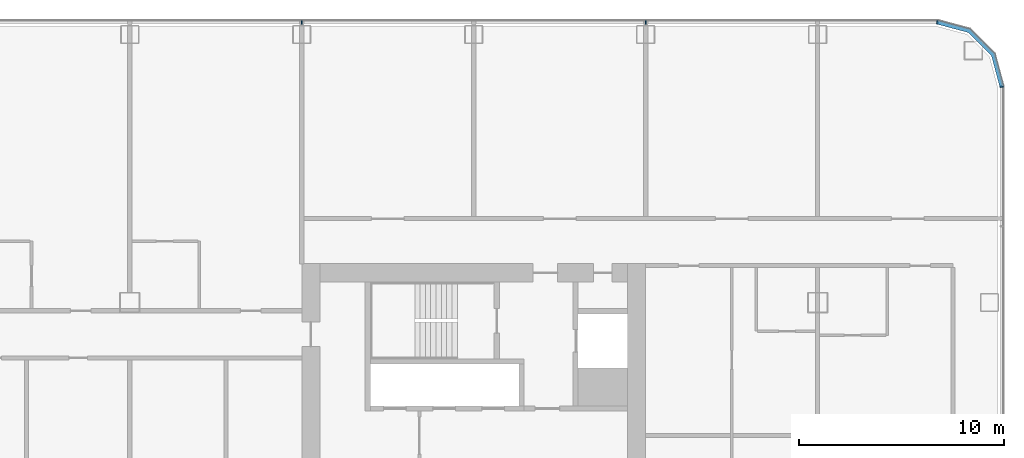
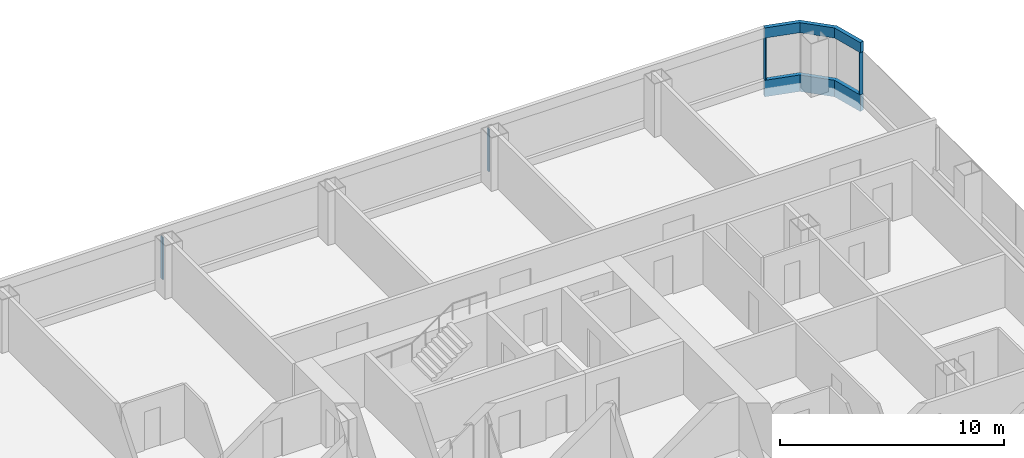
# One storey, part 11 of 29: 6 members, 3 elements without a shape of their own.
"""IFC4 building model written with IfcOpenShell, lengths in metres."""

import ifcopenshell
import ifcopenshell.guid

model = None  # the IFC model being written
_history = None  # IfcOwnerHistory: only IFC2X3 demands one
_inside = {}  # id of a spatial element -> (the spatial element, [elements in it])
_under = {}  # id of a project, library or spatial element -> (it, [spatial elements below it])
_declared = {}  # id of a project -> (the project, [libraries it declares])
_typed = {}  # id of a type object -> (the type object, [elements of that type])
_made_of = {}  # id of a material, layer set ... -> (it, [elements and type objects made of it])


def new_model(schema):
    """Start an empty IFC model of exactly this schema.

    Asked for "IFC4X3", IfcOpenShell would pick the latest addendum, in which some entities
    have other attributes; the version numbers below select the first issue.
    IFC2X3 requires an IfcOwnerHistory on every rooted entity: one is made here for all.
    """
    global model, _history
    if schema == "IFC4X3":
        model = ifcopenshell.file(schema_version=(4, 3, 0, 0))
    else:
        model = ifcopenshell.file(schema=schema)
    _inside.clear()
    _under.clear()
    _declared.clear()
    _typed.clear()
    _made_of.clear()
    _history = None
    if model.schema == "IFC2X3":
        org = make("IfcOrganization", Name="unknown")
        user = make(
            "IfcPersonAndOrganization",
            ThePerson=make("IfcPerson", FamilyName="unknown"),
            TheOrganization=org,
        )
        app = make(
            "IfcApplication",
            ApplicationDeveloper=org,
            Version="unknown",
            ApplicationFullName="unknown",
            ApplicationIdentifier="unknown",
        )
        _history = make(
            "IfcOwnerHistory",
            OwningUser=user,
            OwningApplication=app,
            ChangeAction="ADDED",
            CreationDate=0,
        )
    return model


def make(cls, **values):
    """One entity of the class cls with the attributes given. An attribute that is None is left unset."""
    return model.create_entity(
        cls, **{name: value for name, value in values.items() if value is not None}
    )


def rooted(cls, **values):
    """An entity with a GlobalId (a new one), such as an element, a storey or a relation."""
    return make(cls, GlobalId=ifcopenshell.guid.new(), OwnerHistory=_history, **values)


def si_unit(unit_type, name, prefix=None):
    """IfcSIUnit, for example si_unit("LENGTHUNIT", "METRE", prefix="MILLI")."""
    return make("IfcSIUnit", UnitType=unit_type, Prefix=prefix, Name=name)


def assignment(units):
    """IfcUnitAssignment: the units of a project."""
    return None if units is None else make("IfcUnitAssignment", Units=units)


def point(xyz):
    """IfcCartesianPoint."""
    return None if xyz is None else make("IfcCartesianPoint", Coordinates=xyz)


def direction(xyz):
    """IfcDirection."""
    return None if xyz is None else make("IfcDirection", DirectionRatios=xyz)


def frame(location, z_axis=None, x_axis=None):
    """IfcAxis2Placement3D, a coordinate frame: its origin and axes. An axis left out is left unset."""
    return make(
        "IfcAxis2Placement3D",
        Location=point(location),
        Axis=direction(z_axis),
        RefDirection=direction(x_axis),
    )


def frame_2d(location, x_axis=None):
    """IfcAxis2Placement2D, a coordinate frame in the plane: its origin and x axis."""
    return make(
        "IfcAxis2Placement2D", Location=point(location), RefDirection=direction(x_axis)
    )


def origin():
    """The frame at (0, 0, 0) with its axes left unset."""
    return frame((0.0, 0.0, 0.0))


def origin_2d():
    """The frame at (0, 0) in the plane with its x axis left unset."""
    return frame_2d((0.0, 0.0))


def place(relative_to, where):
    """IfcLocalPlacement: puts the frame where relative to a parent placement (None: the world)."""
    return make(
        "IfcLocalPlacement", PlacementRelTo=relative_to, RelativePlacement=where
    )


def context(
    kind, dimensions, precision=None, world=None, true_north=None, identifier=None
):
    """IfcGeometricRepresentationContext, for example the 3D "Model" context."""
    return make(
        "IfcGeometricRepresentationContext",
        ContextIdentifier=identifier,
        ContextType=kind,
        CoordinateSpaceDimension=dimensions,
        Precision=precision,
        WorldCoordinateSystem=world,
        TrueNorth=true_north,
    )


def subcontext(parent, identifier, kind, view, scale=None):
    """IfcGeometricRepresentationSubContext, for example "Body" below "Model"."""
    return make(
        "IfcGeometricRepresentationSubContext",
        ContextIdentifier=identifier,
        ContextType=kind,
        ParentContext=parent,
        TargetScale=scale,
        TargetView=view,
    )


def project(units=None, contexts=None):
    """IfcProject with its units and contexts."""
    return rooted(
        "IfcProject",
        Name="project",
        RepresentationContexts=contexts,
        UnitsInContext=assignment(units),
    )


def spatial(cls, under=None, at=None, **own):
    """A site, building, storey or space (cls), placed at a placement, below another one or the project."""
    s = rooted(cls, ObjectPlacement=at, **own)
    if under is not None:
        _under.setdefault(under.id(), (under, []))[1].append(s)
    return s


def polyline(points):
    """IfcPolyline through the points."""
    return make("IfcPolyline", Points=[point(p) for p in points])


def profile(cls, at=None, kind="AREA", **sizes):
    """A parametric profile (cls). Its sizes go by their IFC names, for example OverallWidth=200.0."""
    return make(cls, ProfileType=kind, Position=at, **sizes)


def rectangle(**sizes):
    """IfcRectangleProfileDef."""
    return profile("IfcRectangleProfileDef", **sizes)


def outline(outer, holes=None, kind="AREA"):
    """IfcArbitraryClosedProfileDef: a profile drawn as a closed curve; with holes, ...WithVoids."""
    if holes is None:
        return make("IfcArbitraryClosedProfileDef", ProfileType=kind, OuterCurve=outer)
    return make(
        "IfcArbitraryProfileDefWithVoids",
        ProfileType=kind,
        OuterCurve=outer,
        InnerCurves=holes,
    )


def extrude(swept, where, along, depth):
    """IfcExtrudedAreaSolid: the profile swept, set in the frame where, extruded along a direction by depth."""
    return make(
        "IfcExtrudedAreaSolid",
        SweptArea=swept,
        Position=where,
        ExtrudedDirection=direction(along),
        Depth=depth,
    )


def shape(context_of_items, identifier, shape_type, items):
    """IfcShapeRepresentation: the items that make up one representation, for example the "Body"."""
    return make(
        "IfcShapeRepresentation",
        ContextOfItems=context_of_items,
        RepresentationIdentifier=identifier,
        RepresentationType=shape_type,
        Items=items,
    )


def material(Name=None, Category=None):
    """IfcMaterial."""
    return make("IfcMaterial", Name=Name, Category=Category)


def layer(
    of_material, thickness, ventilated=None, Name=None, Category=None, Priority=None
):
    """IfcMaterialLayer: one layer of a wall or slab, of a material (None: an air gap)."""
    return make(
        "IfcMaterialLayer",
        Material=of_material,
        LayerThickness=thickness,
        IsVentilated=ventilated,
        Name=Name,
        Category=Category,
        Priority=Priority,
    )


def layer_set(layers, Name=None):
    """IfcMaterialLayerSet."""
    return make("IfcMaterialLayerSet", MaterialLayers=layers, LayerSetName=Name)


def material_profile(
    of_material, cross_section, Name=None, Category=None, Priority=None
):
    """IfcMaterialProfile: a cross section and its material."""
    return make(
        "IfcMaterialProfile",
        Name=Name,
        Material=of_material,
        Profile=cross_section,
        Priority=Priority,
        Category=Category,
    )


def profile_set(profiles, Name=None, composite=None):
    """IfcMaterialProfileSet."""
    return make(
        "IfcMaterialProfileSet",
        Name=Name,
        MaterialProfiles=profiles,
        CompositeProfile=composite,
    )


def made_of(thing, what):
    """Note that an element or type object is made of a material, layer set ...; save() writes the relation."""
    if what is not None:
        _made_of.setdefault(what.id(), (what, []))[1].append(thing)
    return thing


def type_object(cls, material=None, **own):
    """A type object (cls), such as IfcWallType, which elements share."""
    return made_of(rooted(cls, **own), material)


def element(
    cls,
    number,
    at=None,
    inside=None,
    cuts=None,
    type_object=None,
    material=None,
    context=None,
    identifier="Body",
    shape_type=None,
    held_by="IfcProductDefinitionShape",
    body=None,
    shapes=None,
    **own,
):
    """One element of the class cls, such as IfcWall. Its Tag is "e" and its number.

    at: its placement. inside: the storey or other place that contains it. cuts: it is an
    opening in that element (IfcRelVoidsElement). A single representation is given by context,
    identifier, shape_type and body (its items); several are given by shapes. held_by: the class
    of the entity that holds the representations. save() writes the other relations.
    """
    e = rooted(cls, Tag="e%d" % number, ObjectPlacement=at, **own)
    if body is not None:
        shapes = [shape(context, identifier, shape_type, body)]
    if shapes is not None:
        e.Representation = make(held_by, Representations=shapes)
    if inside is not None:
        _inside.setdefault(inside.id(), (inside, []))[1].append(e)
    if cuts is not None:
        rooted(
            "IfcRelVoidsElement", RelatingBuildingElement=cuts, RelatedOpeningElement=e
        )
    if type_object is not None:
        _typed.setdefault(type_object.id(), (type_object, []))[1].append(e)
    return made_of(e, material)


def aggregate(whole, parts):
    """IfcRelAggregates: a whole, such as a stair, and the parts it consists of."""
    return rooted("IfcRelAggregates", RelatingObject=whole, RelatedObjects=parts)


def save(model, path):
    """Write the relations noted so far, then the file.

    IfcRelAggregates (storeys below a building ...), IfcRelContainedInSpatialStructure (elements
    in a storey), IfcRelDefinesByType, IfcRelAssociatesMaterial and IfcRelDeclares: one each for
    every whole, place, type object, material and project.
    """
    for whole, parts in _under.values():
        aggregate(whole, parts)
    for where, things in _inside.values():
        rooted(
            "IfcRelContainedInSpatialStructure",
            RelatedElements=things,
            RelatingStructure=where,
        )
    for kind, things in _typed.values():
        rooted("IfcRelDefinesByType", RelatedObjects=things, RelatingType=kind)
    for what, things in _made_of.values():
        rooted("IfcRelAssociatesMaterial", RelatedObjects=things, RelatingMaterial=what)
    for by, libraries in _declared.values():
        rooted("IfcRelDeclares", RelatingContext=by, RelatedDefinitions=libraries)
    model.write(path)


model = new_model("IFC4")

# Units and contexts
model_context = context("Model", 3, precision=1e-05, world=origin(), true_north=direction((0.0, 1.0)))
body_context = subcontext(model_context, "Body", "Model", "MODEL_VIEW")
ifc_project = project(units=[si_unit("LENGTHUNIT", "METRE"), si_unit("AREAUNIT", "SQUARE_METRE"), si_unit("VOLUMEUNIT", "CUBIC_METRE"), si_unit("PLANEANGLEUNIT", "RADIAN"), si_unit("MASSUNIT", "GRAM", prefix="KILO")], contexts=[model_context])

# Site, building, storey
site_placement = place(None, origin())
site = spatial("IfcSite", under=ifc_project, at=site_placement, CompositionType="ELEMENT")
building_placement = place(site_placement, origin())
building = spatial("IfcBuilding", under=site, at=building_placement, Name="Hakoniwa Tower and Hamabe Station Hall", CompositionType="ELEMENT")
storey_placement = place(building_placement, frame((0.0, 0.0, 61.39990234375)))
storey = spatial("IfcBuildingStorey", under=building, at=storey_placement, Name="L17", CompositionType="ELEMENT", Elevation=61.39990234375)

# Curtain wall, members
ifc_material_1 = material(Name="Dark low-e laminated glass", Category="glass")
ifc_layer = layer(ifc_material_1, 0.199951171875)
ifc_layer_set = layer_set([ifc_layer], Name="CW-1 UNITISED GUEST")
curtain_wall_type = type_object("IfcCurtainWallType", Name="CW-1 UNITISED GUEST", PredefinedType="NOTDEFINED", material=ifc_layer_set)
curtain_wall_1_placement = place(storey_placement, origin())
curtain_wall_1 = element("IfcCurtainWall", 1, at=curtain_wall_1_placement, inside=storey, type_object=curtain_wall_type, Name="CW-1 curtain wall", PredefinedType="NOTDEFINED")
ifc_material_2 = material(Name="Aluminium 6063-T5 black anodised", Category="aluminium")
ifc_material_profile_1 = material_profile(ifc_material_2, rectangle(XDim=0.199951171875, YDim=0.550048828125, at=origin_2d()), Name="CW HEAD BAND 550X200")
ifc_profile_set_1 = profile_set([ifc_material_profile_1], Name="Aluminium 6063-T5 black anodised")
member_type_1 = type_object("IfcMemberType", Name="CW HEAD BAND 550X200", PredefinedType="USERDEFINED", material=ifc_profile_set_1)
member_1_placement = place(storey_placement, frame((0.0, 0.0, 2.650146484375)))
member_1 = element("IfcMember", 2, at=member_1_placement, type_object=member_type_1, Name="CW-1 transom", ObjectType="TRANSOM", PredefinedType="USERDEFINED", context=body_context, shape_type="SweptSolid", body=[
    extrude(outline(polyline([(51.10009765625, 17.03955078125), (50.6669921875, 18.6552734375), (49.455322265625, 19.866943359375), (47.839599609375, 20.300048828125), (47.787841796875, 20.10693359375), (49.351806640625, 19.687744140625), (50.48779296875, 18.5517578125), (50.90673828125, 16.98779296875), (51.10009765625, 17.03955078125)])), origin(), (0.0, 0.0, 1.0), 0.550048828125),
])
ifc_material_3 = material(Name="Aluminium 6063-T5 black anodised", Category="aluminium")
ifc_material_profile_2 = material_profile(ifc_material_3, rectangle(XDim=0.199951171875, YDim=0.89990234375, at=origin_2d()), Name="CW SLAB-EDGE BAND 900X200")
ifc_profile_set_2 = profile_set([ifc_material_profile_2], Name="Aluminium 6063-T5 black anodised")
member_type_2 = type_object("IfcMemberType", Name="CW SLAB-EDGE BAND 900X200", PredefinedType="USERDEFINED", material=ifc_profile_set_2)
member_2_placement = place(storey_placement, frame((0.0, 0.0, -0.5498046875)))
member_2 = element("IfcMember", 3, at=member_2_placement, type_object=member_type_2, Name="CW-1 transom", ObjectType="TRANSOM", PredefinedType="USERDEFINED", context=body_context, shape_type="SweptSolid", body=[
    extrude(outline(polyline([(51.10009765625, 17.03955078125), (50.6669921875, 18.6552734375), (49.455322265625, 19.866943359375), (47.839599609375, 20.300048828125), (47.787841796875, 20.10693359375), (49.351806640625, 19.687744140625), (50.48779296875, 18.5517578125), (50.90673828125, 16.98779296875), (51.10009765625, 17.03955078125)])), origin(), (0.0, 0.0, 1.0), 0.89990234375),
])
aggregate(curtain_wall_1, [member_2, member_1])

# Curtain wall, member
curtain_wall_2_placement = place(storey_placement, origin())
curtain_wall_2 = element("IfcCurtainWall", 4, at=curtain_wall_2_placement, inside=storey, type_object=curtain_wall_type, Name="CW-1 curtain wall", PredefinedType="NOTDEFINED")
ifc_material_4 = material(Name="Aluminium 6063-T5 black anodised", Category="aluminium")
ifc_material_profile_3 = material_profile(ifc_material_4, rectangle(XDim=0.06005859375, YDim=0.179931640625, at=origin_2d()), Name="CW-1 MULLION 60X180")
ifc_profile_set_3 = profile_set([ifc_material_profile_3], Name="Aluminium 6063-T5 black anodised")
member_type_3 = type_object("IfcMemberType", Name="CW-1 MULLION 60X180", PredefinedType="MULLION", material=ifc_profile_set_3)
member_3_placement = place(storey_placement, frame((50.98193359375, 17.03955078125, 0.35009765625), z_axis=(0.0, 0.0, 1.0), x_axis=(0.0, 1.0, 0.0)))
member_3 = element("IfcMember", 5, at=member_3_placement, type_object=member_type_3, Name="CW-1 mullion", PredefinedType="MULLION", context=body_context, shape_type="SweptSolid", body=[
    extrude(rectangle(XDim=0.06005859375, YDim=0.179931640625, at=origin_2d()), origin(), (0.0, 0.0, 1.0), 2.300048828125),
])
aggregate(curtain_wall_2, [member_3])

# Curtain wall, members
curtain_wall_3_placement = place(storey_placement, origin())
curtain_wall_3 = element("IfcCurtainWall", 6, at=curtain_wall_3_placement, inside=storey, type_object=curtain_wall_type, Name="CW-1 curtain wall", PredefinedType="NOTDEFINED")
member_4_placement = place(storey_placement, frame((47.839599609375, 20.181884765625, 0.35009765625), z_axis=(0.0, 0.0, 1.0), x_axis=(-1.0, 0.0, 0.0)))
member_4 = element("IfcMember", 7, at=member_4_placement, type_object=member_type_3, Name="CW-1 mullion", PredefinedType="MULLION", context=body_context, shape_type="SweptSolid", body=[
    extrude(rectangle(XDim=0.06005859375, YDim=0.179931640625, at=origin_2d()), origin(), (0.0, 0.0, 1.0), 2.300048828125),
])
member_5_placement = place(storey_placement, frame((33.60009765625, 20.181884765625, 0.35009765625), z_axis=(0.0, 0.0, 1.0), x_axis=(-1.0, 0.0, 0.0)))
member_5 = element("IfcMember", 8, at=member_5_placement, type_object=member_type_3, Name="CW-1 mullion", PredefinedType="MULLION", context=body_context, shape_type="SweptSolid", body=[
    extrude(rectangle(XDim=0.06005859375, YDim=0.179931640625, at=origin_2d()), origin(), (0.0, 0.0, 1.0), 2.300048828125),
])
member_6_placement = place(storey_placement, frame((16.800048828125, 20.181884765625, 0.35009765625), z_axis=(0.0, 0.0, 1.0), x_axis=(-1.0, 0.0, 0.0)))
member_6 = element("IfcMember", 9, at=member_6_placement, type_object=member_type_3, Name="CW-1 mullion", PredefinedType="MULLION", context=body_context, shape_type="SweptSolid", body=[
    extrude(rectangle(XDim=0.06005859375, YDim=0.179931640625, at=origin_2d()), origin(), (0.0, 0.0, 1.0), 2.300048828125),
])
aggregate(curtain_wall_3, [member_4, member_5, member_6])

save(model, "model.ifc")
